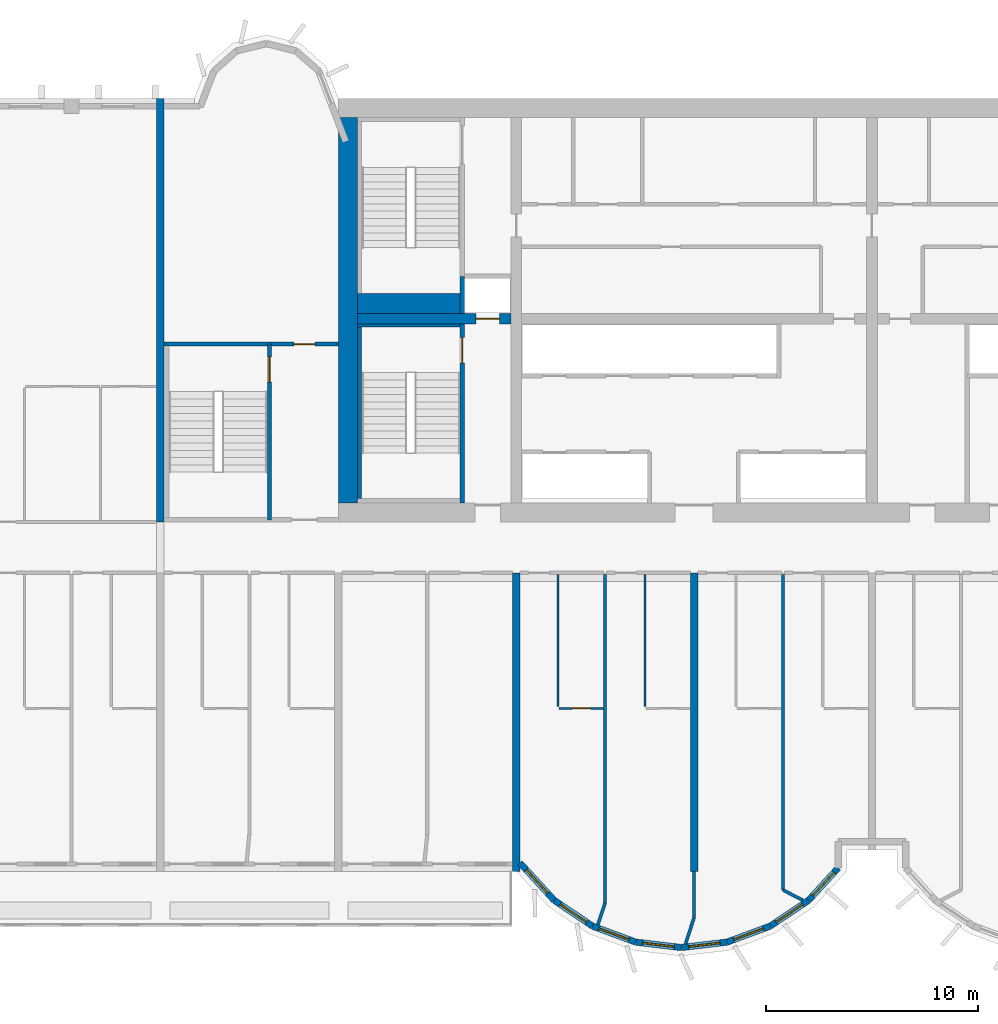
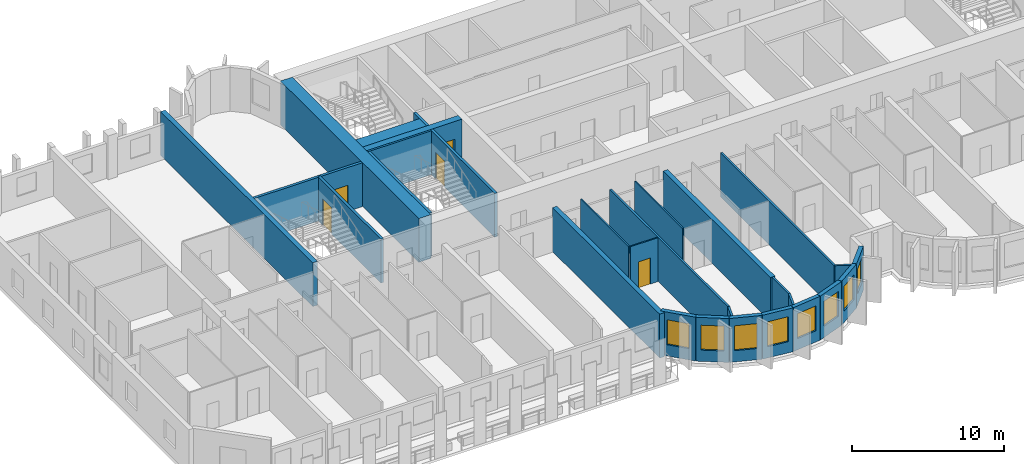
# One storey, part 4 of 14: 29 walls, 8 windows, 5 doors, 13 openings.
"""IFC4 building model written with IfcOpenShell, lengths in metres."""

import ifcopenshell
import ifcopenshell.guid

model = None  # the IFC model being written
_history = None  # IfcOwnerHistory: only IFC2X3 demands one
_inside = {}  # id of a spatial element -> (the spatial element, [elements in it])
_under = {}  # id of a project, library or spatial element -> (it, [spatial elements below it])
_declared = {}  # id of a project -> (the project, [libraries it declares])
_typed = {}  # id of a type object -> (the type object, [elements of that type])
_made_of = {}  # id of a material, layer set ... -> (it, [elements and type objects made of it])


def new_model(schema):
    """Start an empty IFC model of exactly this schema.

    Asked for "IFC4X3", IfcOpenShell would pick the latest addendum, in which some entities
    have other attributes; the version numbers below select the first issue.
    IFC2X3 requires an IfcOwnerHistory on every rooted entity: one is made here for all.
    """
    global model, _history
    if schema == "IFC4X3":
        model = ifcopenshell.file(schema_version=(4, 3, 0, 0))
    else:
        model = ifcopenshell.file(schema=schema)
    _inside.clear()
    _under.clear()
    _declared.clear()
    _typed.clear()
    _made_of.clear()
    _history = None
    if model.schema == "IFC2X3":
        org = make("IfcOrganization", Name="unknown")
        user = make(
            "IfcPersonAndOrganization",
            ThePerson=make("IfcPerson", FamilyName="unknown"),
            TheOrganization=org,
        )
        app = make(
            "IfcApplication",
            ApplicationDeveloper=org,
            Version="unknown",
            ApplicationFullName="unknown",
            ApplicationIdentifier="unknown",
        )
        _history = make(
            "IfcOwnerHistory",
            OwningUser=user,
            OwningApplication=app,
            ChangeAction="ADDED",
            CreationDate=0,
        )
    return model


def make(cls, **values):
    """One entity of the class cls with the attributes given. An attribute that is None is left unset."""
    return model.create_entity(
        cls, **{name: value for name, value in values.items() if value is not None}
    )


def rooted(cls, **values):
    """An entity with a GlobalId (a new one), such as an element, a storey or a relation."""
    return make(cls, GlobalId=ifcopenshell.guid.new(), OwnerHistory=_history, **values)


def si_unit(unit_type, name, prefix=None):
    """IfcSIUnit, for example si_unit("LENGTHUNIT", "METRE", prefix="MILLI")."""
    return make("IfcSIUnit", UnitType=unit_type, Prefix=prefix, Name=name)


def assignment(units):
    """IfcUnitAssignment: the units of a project."""
    return None if units is None else make("IfcUnitAssignment", Units=units)


def point(xyz):
    """IfcCartesianPoint."""
    return None if xyz is None else make("IfcCartesianPoint", Coordinates=xyz)


def direction(xyz):
    """IfcDirection."""
    return None if xyz is None else make("IfcDirection", DirectionRatios=xyz)


def frame(location, z_axis=None, x_axis=None):
    """IfcAxis2Placement3D, a coordinate frame: its origin and axes. An axis left out is left unset."""
    return make(
        "IfcAxis2Placement3D",
        Location=point(location),
        Axis=direction(z_axis),
        RefDirection=direction(x_axis),
    )


def frame_2d(location, x_axis=None):
    """IfcAxis2Placement2D, a coordinate frame in the plane: its origin and x axis."""
    return make(
        "IfcAxis2Placement2D", Location=point(location), RefDirection=direction(x_axis)
    )


def origin():
    """The frame at (0, 0, 0) with its axes left unset."""
    return frame((0.0, 0.0, 0.0))


def place(relative_to, where):
    """IfcLocalPlacement: puts the frame where relative to a parent placement (None: the world)."""
    return make(
        "IfcLocalPlacement", PlacementRelTo=relative_to, RelativePlacement=where
    )


def context(
    kind, dimensions, precision=None, world=None, true_north=None, identifier=None
):
    """IfcGeometricRepresentationContext, for example the 3D "Model" context."""
    return make(
        "IfcGeometricRepresentationContext",
        ContextIdentifier=identifier,
        ContextType=kind,
        CoordinateSpaceDimension=dimensions,
        Precision=precision,
        WorldCoordinateSystem=world,
        TrueNorth=true_north,
    )


def subcontext(parent, identifier, kind, view, scale=None):
    """IfcGeometricRepresentationSubContext, for example "Body" below "Model"."""
    return make(
        "IfcGeometricRepresentationSubContext",
        ContextIdentifier=identifier,
        ContextType=kind,
        ParentContext=parent,
        TargetScale=scale,
        TargetView=view,
    )


def project(units=None, contexts=None):
    """IfcProject with its units and contexts."""
    return rooted(
        "IfcProject",
        Name="project",
        RepresentationContexts=contexts,
        UnitsInContext=assignment(units),
    )


def spatial(cls, under=None, at=None, **own):
    """A site, building, storey or space (cls), placed at a placement, below another one or the project."""
    s = rooted(cls, ObjectPlacement=at, **own)
    if under is not None:
        _under.setdefault(under.id(), (under, []))[1].append(s)
    return s


def profile(cls, at=None, kind="AREA", **sizes):
    """A parametric profile (cls). Its sizes go by their IFC names, for example OverallWidth=200.0."""
    return make(cls, ProfileType=kind, Position=at, **sizes)


def rectangle(**sizes):
    """IfcRectangleProfileDef."""
    return profile("IfcRectangleProfileDef", **sizes)


def extrude(swept, where, along, depth):
    """IfcExtrudedAreaSolid: the profile swept, set in the frame where, extruded along a direction by depth."""
    return make(
        "IfcExtrudedAreaSolid",
        SweptArea=swept,
        Position=where,
        ExtrudedDirection=direction(along),
        Depth=depth,
    )


def shape(context_of_items, identifier, shape_type, items):
    """IfcShapeRepresentation: the items that make up one representation, for example the "Body"."""
    return make(
        "IfcShapeRepresentation",
        ContextOfItems=context_of_items,
        RepresentationIdentifier=identifier,
        RepresentationType=shape_type,
        Items=items,
    )


def source(mapping_origin, context_of_items, identifier, shape_type, items):
    """IfcRepresentationMap: a shape defined once, which mapped items show again and again."""
    return make(
        "IfcRepresentationMap",
        MappingOrigin=mapping_origin,
        MappedRepresentation=shape(context_of_items, identifier, shape_type, items),
    )


def transform(
    local_origin,
    x_axis=None,
    y_axis=None,
    z_axis=None,
    scale=None,
    scale2=None,
    scale3=None,
    uniform=True,
):
    """IfcCartesianTransformationOperator3D, or its non-uniform kind. x_axis, y_axis, z_axis: its Axis1, 2, 3."""
    if uniform:
        return make(
            "IfcCartesianTransformationOperator3D",
            Axis1=direction(x_axis),
            Axis2=direction(y_axis),
            LocalOrigin=point(local_origin),
            Scale=scale,
            Axis3=direction(z_axis),
        )
    return make(
        "IfcCartesianTransformationOperator3DnonUniform",
        Axis1=direction(x_axis),
        Axis2=direction(y_axis),
        LocalOrigin=point(local_origin),
        Scale=scale,
        Axis3=direction(z_axis),
        Scale2=scale2,
        Scale3=scale3,
    )


def mapped(mapping_source, mapping_target):
    """IfcMappedItem: shows the shape of a source again, moved by a transform."""
    return make(
        "IfcMappedItem", MappingSource=mapping_source, MappingTarget=mapping_target
    )


def material(Name=None, Category=None):
    """IfcMaterial."""
    return make("IfcMaterial", Name=Name, Category=Category)


def layer(
    of_material, thickness, ventilated=None, Name=None, Category=None, Priority=None
):
    """IfcMaterialLayer: one layer of a wall or slab, of a material (None: an air gap)."""
    return make(
        "IfcMaterialLayer",
        Material=of_material,
        LayerThickness=thickness,
        IsVentilated=ventilated,
        Name=Name,
        Category=Category,
        Priority=Priority,
    )


def layer_set(layers, Name=None):
    """IfcMaterialLayerSet."""
    return make("IfcMaterialLayerSet", MaterialLayers=layers, LayerSetName=Name)


def made_of(thing, what):
    """Note that an element or type object is made of a material, layer set ...; save() writes the relation."""
    if what is not None:
        _made_of.setdefault(what.id(), (what, []))[1].append(thing)
    return thing


def type_object(cls, material=None, **own):
    """A type object (cls), such as IfcWallType, which elements share."""
    return made_of(rooted(cls, **own), material)


def element(
    cls,
    number,
    at=None,
    inside=None,
    cuts=None,
    type_object=None,
    material=None,
    context=None,
    identifier="Body",
    shape_type=None,
    held_by="IfcProductDefinitionShape",
    body=None,
    shapes=None,
    **own,
):
    """One element of the class cls, such as IfcWall. Its Tag is "e" and its number.

    at: its placement. inside: the storey or other place that contains it. cuts: it is an
    opening in that element (IfcRelVoidsElement). A single representation is given by context,
    identifier, shape_type and body (its items); several are given by shapes. held_by: the class
    of the entity that holds the representations. save() writes the other relations.
    """
    e = rooted(cls, Tag="e%d" % number, ObjectPlacement=at, **own)
    if body is not None:
        shapes = [shape(context, identifier, shape_type, body)]
    if shapes is not None:
        e.Representation = make(held_by, Representations=shapes)
    if inside is not None:
        _inside.setdefault(inside.id(), (inside, []))[1].append(e)
    if cuts is not None:
        rooted(
            "IfcRelVoidsElement", RelatingBuildingElement=cuts, RelatedOpeningElement=e
        )
    if type_object is not None:
        _typed.setdefault(type_object.id(), (type_object, []))[1].append(e)
    return made_of(e, material)


def fill(opening, filler):
    """IfcRelFillsElement: the door or window that sits in an opening."""
    return rooted(
        "IfcRelFillsElement",
        RelatingOpeningElement=opening,
        RelatedBuildingElement=filler,
    )


def aggregate(whole, parts):
    """IfcRelAggregates: a whole, such as a stair, and the parts it consists of."""
    return rooted("IfcRelAggregates", RelatingObject=whole, RelatedObjects=parts)


def save(model, path):
    """Write the relations noted so far, then the file.

    IfcRelAggregates (storeys below a building ...), IfcRelContainedInSpatialStructure (elements
    in a storey), IfcRelDefinesByType, IfcRelAssociatesMaterial and IfcRelDeclares: one each for
    every whole, place, type object, material and project.
    """
    for whole, parts in _under.values():
        aggregate(whole, parts)
    for where, things in _inside.values():
        rooted(
            "IfcRelContainedInSpatialStructure",
            RelatedElements=things,
            RelatingStructure=where,
        )
    for kind, things in _typed.values():
        rooted("IfcRelDefinesByType", RelatedObjects=things, RelatingType=kind)
    for what, things in _made_of.values():
        rooted("IfcRelAssociatesMaterial", RelatedObjects=things, RelatingMaterial=what)
    for by, libraries in _declared.values():
        rooted("IfcRelDeclares", RelatingContext=by, RelatedDefinitions=libraries)
    model.write(path)


model = new_model("IFC4")

# Units and contexts
model_context = context("Model", 3, precision=1e-05, world=origin(), true_north=direction((0.0, 1.0)))
body_context = subcontext(model_context, "Body", "Model", "MODEL_VIEW")
ifc_project = project(units=[si_unit("LENGTHUNIT", "METRE"), si_unit("AREAUNIT", "SQUARE_METRE"), si_unit("VOLUMEUNIT", "CUBIC_METRE"), si_unit("PLANEANGLEUNIT", "RADIAN"), si_unit("MASSUNIT", "GRAM", prefix="KILO")], contexts=[model_context])

# Site, building, storey
site_placement = place(None, origin())
site = spatial("IfcSite", under=ifc_project, at=site_placement, CompositionType="ELEMENT")
building_placement = place(site_placement, origin())
building = spatial("IfcBuilding", under=site, at=building_placement, Name="Vanashikhar Sky Hotel", CompositionType="ELEMENT")
storey_placement = place(building_placement, frame((0.0, 0.0, 125.60009765625)))
storey = spatial("IfcBuildingStorey", under=building, at=storey_placement, Name="L30", CompositionType="ELEMENT", Elevation=125.60009765625)

# Wall
ifc_material_1 = material(Name="Concrete M70", Category="concrete")
ifc_layer_1 = layer(ifc_material_1, 0.89990234375)
ifc_layer_set_1 = layer_set([ifc_layer_1], Name="RC core shell wall 900 Concrete M70")
wall_type_1 = type_object("IfcWallType", Name="RC core shell wall 900 Concrete M70", PredefinedType="SHEAR", material=ifc_layer_set_1)
shared_shape_1 = source(origin(), body_context, "Body", "SweptSolid", [
    extrude(rectangle(XDim=18.2001953125, YDim=0.89990234375, at=frame_2d((9.10009765625, 0.0))), origin(), (0.0, 0.0, 1.0), 3.52001953125),
])
wall_1_placement = place(storey_placement, frame((25.64990234375, 22.89990234375, 0.0), z_axis=(0.0, 0.0, 1.0), x_axis=(0.0, 1.0, 0.0)))
element("IfcWall", 1, at=wall_1_placement, inside=storey, type_object=wall_type_1, Name="KW-L30-KW", PredefinedType="SHEAR", context=body_context, shape_type="MappedRepresentation", body=[
    mapped(shared_shape_1, transform((0.0, 0.0, 0.0), scale=1.0)),
])

# Wall, opening, door
ifc_layer_2 = layer(ifc_material_1, 0.5)
ifc_layer_set_2 = layer_set([ifc_layer_2], Name="RC core inner wall 500 Concrete M70")
wall_type_2 = type_object("IfcWallType", Name="RC core inner wall 500 Concrete M70", PredefinedType="SHEAR", material=ifc_layer_set_2)
shared_shape_2 = source(origin(), body_context, "Body", "SweptSolid", [
    extrude(rectangle(XDim=7.25, YDim=0.5, at=frame_2d((3.625, 0.0))), origin(), (0.0, 0.0, 1.0), 3.52001953125),
])
wall_2_placement = place(storey_placement, frame((26.10009765625, 31.60009765625, 0.0), z_axis=(0.0, 0.0, 1.0), x_axis=(1.0, 0.0, 0.0)))
wall_2 = element("IfcWall", 2, at=wall_2_placement, inside=storey, type_object=wall_type_2, Name="KW-L30-KY1", PredefinedType="SHEAR", context=body_context, shape_type="MappedRepresentation", body=[
    mapped(shared_shape_2, transform((0.0, 0.0, 0.0), scale=1.0)),
])
shared_shape_3 = source(origin(), body_context, "Body", "SweptSolid", [
    extrude(rectangle(XDim=1.10009765625, YDim=2.10009765625, at=frame_2d((0.550048828125, 1.050048828125))), frame((0.0, 0.260009765625, 0.0), z_axis=(0.0, -1.0, 0.0), x_axis=(1.0, 0.0, 0.0)), (0.0, 0.0, 1.0), 0.52001953125),
])
opening_1_placement = place(wall_2_placement, frame((5.60009765625, 0.0, 0.0)))
opening_1 = element("IfcOpeningElement", 3, at=opening_1_placement, cuts=wall_2, Name="Opening LD", PredefinedType="OPENING", context=body_context, shape_type="MappedRepresentation", body=[
    mapped(shared_shape_3, transform((0.0, 0.0, 0.0), scale=1.0)),
])
ifc_material_2 = material(Name="Stainless steel", Category="steel")
door_type_1 = type_object("IfcDoorType", Name="Lift landing door 1100", OperationType="NOTDEFINED", PredefinedType="DOOR", material=ifc_material_2)
shared_shape_4 = source(origin(), body_context, "Body", "SweptSolid", [
    extrude(rectangle(XDim=1.10009765625, YDim=2.10009765625, at=frame_2d((0.550048828125, 1.050048828125))), frame((0.0, 0.02490234375, 0.0), z_axis=(0.0, -1.0, 0.0), x_axis=(1.0, 0.0, 0.0)), (0.0, 0.0, 1.0), 0.050048828125),
])
door_1_placement = place(opening_1_placement, origin())
door_1 = element("IfcDoor", 4, at=door_1_placement, inside=storey, type_object=door_type_1, Name="Lift landing door 1100", OperationType="SLIDING_TO_LEFT", OverallHeight=2.10009765625, OverallWidth=1.10009765625, PredefinedType="DOOR", context=body_context, shape_type="MappedRepresentation", body=[
    mapped(shared_shape_4, transform((0.0, 0.0, 0.0), scale=1.0)),
])
fill(opening_1, door_1)

# Walls
ifc_layer_3 = layer(ifc_material_1, 0.35009765625)
ifc_layer_set_3 = layer_set([ifc_layer_3], Name="RC shear wall 350 Concrete M70")
wall_type_3 = type_object("IfcWallType", Name="RC shear wall 350 Concrete M70", PredefinedType="SHEAR", material=ifc_layer_set_3)
shared_shape_5 = source(origin(), body_context, "Body", "SweptSolid", [
    extrude(rectangle(XDim=14.10009765625, YDim=0.35009765625, at=frame_2d((7.050048828125, 0.0))), origin(), (0.0, 0.0, 1.0), 3.52001953125),
])
for number, where, z_axis, x_axis, name in (
    (5, (33.60009765625, 5.5, 0.0), (0.0, 0.0, 1.0), (0.0, 1.0, 0.0), "CW-L30-XW05-1"),
    (6, (42.0, 5.5, 0.0), (0.0, 0.0, 1.0), (0.0, 1.0, 0.0), "CW-L30-XW06-1"),
):
    element("IfcWall", number, at=place(storey_placement, frame(where, z_axis=z_axis, x_axis=x_axis)), inside=storey, type_object=wall_type_3, Name=name, PredefinedType="SHEAR", context=body_context, shape_type="MappedRepresentation", body=[
        mapped(shared_shape_5, transform((0.0, 0.0, 0.0), scale=1.0)),
    ])
shared_shape_6 = source(origin(), body_context, "Body", "SweptSolid", [
    extrude(rectangle(XDim=20.0, YDim=0.35009765625, at=frame_2d((10.0, 0.0))), origin(), (0.0, 0.0, 1.0), 3.52001953125),
])
wall_3_placement = place(storey_placement, frame((16.800048828125, 22.0, 0.0), z_axis=(0.0, 0.0, 1.0), x_axis=(0.0, 1.0, 0.0)))
element("IfcWall", 7, at=wall_3_placement, inside=storey, type_object=wall_type_3, Name="CW-L30-XW03-2", PredefinedType="SHEAR", context=body_context, shape_type="MappedRepresentation", body=[
    mapped(shared_shape_6, transform((0.0, 0.0, 0.0), scale=1.0)),
])

# Wall, opening, window
ifc_material_3 = material(Name="Concrete M50", Category="concrete")
ifc_layer_4 = layer(ifc_material_3, 0.300048828125)
ifc_layer_set_4 = layer_set([ifc_layer_4], Name="Lobe wall 300")
wall_type_4 = type_object("IfcWallType", Name="Lobe wall 300", PredefinedType="SOLIDWALL", material=ifc_layer_set_4)
shared_shape_7 = source(origin(), body_context, "Body", "SweptSolid", [
    extrude(rectangle(XDim=2.398193359375, YDim=0.300048828125, at=frame_2d((1.19921875, 0.0))), origin(), (0.0, 0.0, 1.0), 3.52001953125),
])
wall_4_placement = place(storey_placement, frame((33.776123046875, 5.89990234375, 0.0), z_axis=(0.0, 0.0, 1.0), x_axis=(0.675374189419, -0.737475222815, 0.0)))
wall_4 = element("IfcWall", 8, at=wall_4_placement, inside=storey, type_object=wall_type_4, Name="Lobe wall", PredefinedType="SOLIDWALL", context=body_context, shape_type="MappedRepresentation", body=[
    mapped(shared_shape_7, transform((0.0, 0.0, 0.0), scale=1.0)),
])
shared_shape_8 = source(origin(), body_context, "Body", "SweptSolid", [
    extrude(rectangle(XDim=1.5, YDim=2.0, at=frame_2d((0.75, 1.0))), frame((0.0, 0.16015625, 0.0), z_axis=(0.0, -1.0, 0.0), x_axis=(1.0, 0.0, 0.0)), (0.0, 0.0, 1.0), 0.320068359375),
])
opening_2_placement = place(wall_4_placement, frame((0.44921875, 0.0, 0.89990234375)))
opening_2 = element("IfcOpeningElement", 9, at=opening_2_placement, cuts=wall_4, Name="Opening WN-2", PredefinedType="OPENING", context=body_context, shape_type="MappedRepresentation", body=[
    mapped(shared_shape_8, transform((0.0, 0.0, 0.0), scale=1.0)),
])
ifc_material_4 = material(Name="Glass", Category="glass")
window_type = type_object("IfcWindowType", Name="Lobe window 1500 x 2000", PartitioningType="SINGLE_PANEL", PredefinedType="WINDOW", material=ifc_material_4)
shared_shape_9 = source(origin(), body_context, "Body", "SweptSolid", [
    extrude(rectangle(XDim=1.5, YDim=2.0, at=frame_2d((0.75, 1.0))), frame((0.0, 0.030029296875, 0.0), z_axis=(0.0, -1.0, 0.0), x_axis=(1.0, 0.0, 0.0)), (0.0, 0.0, 1.0), 0.06005859375),
])
window_1_placement = place(opening_2_placement, origin())
window_1 = element("IfcWindow", 10, at=window_1_placement, inside=storey, type_object=window_type, Name="Window WN-2", OverallHeight=2.0, OverallWidth=1.5, PartitioningType="SINGLE_PANEL", PredefinedType="WINDOW", context=body_context, shape_type="MappedRepresentation", body=[
    mapped(shared_shape_9, transform((0.0, 0.0, 0.0), scale=1.0)),
])
fill(opening_2, window_1)

shared_shape_10 = source(origin(), body_context, "Body", "SweptSolid", [
    extrude(rectangle(XDim=2.17578125, YDim=0.300048828125, at=frame_2d((1.087890625, 0.0))), origin(), (0.0, 0.0, 1.0), 3.52001953125),
])
wall_5_placement = place(storey_placement, frame((35.395751953125, 4.13134765625, 0.0), z_axis=(0.0, 0.0, 1.0), x_axis=(0.829590746428, -0.558371913192, 0.0)))
wall_5 = element("IfcWall", 11, at=wall_5_placement, inside=storey, type_object=wall_type_4, Name="Lobe wall", PredefinedType="SOLIDWALL", context=body_context, shape_type="MappedRepresentation", body=[
    mapped(shared_shape_10, transform((0.0, 0.0, 0.0), scale=1.0)),
])
opening_3_placement = place(wall_5_placement, frame((0.337890625, 0.0, 0.89990234375)))
opening_3 = element("IfcOpeningElement", 12, at=opening_3_placement, cuts=wall_5, Name="Opening WN-2", PredefinedType="OPENING", context=body_context, shape_type="MappedRepresentation", body=[
    mapped(shared_shape_8, transform((0.0, 0.0, 0.0), scale=1.0)),
])
window_2_placement = place(opening_3_placement, origin())
window_2 = element("IfcWindow", 13, at=window_2_placement, inside=storey, type_object=window_type, Name="Window WN-2", OverallHeight=2.0, OverallWidth=1.5, PartitioningType="SINGLE_PANEL", PredefinedType="WINDOW", context=body_context, shape_type="MappedRepresentation", body=[
    mapped(shared_shape_9, transform((0.0, 0.0, 0.0), scale=1.0)),
])
fill(opening_3, window_2)

wall_6_placement = place(storey_placement, frame((37.20068359375, 2.91650390625, 0.0), z_axis=(0.0, 0.0, 1.0), x_axis=(0.93754555999, -0.347862505801, 0.0)))
wall_6 = element("IfcWall", 14, at=wall_6_placement, inside=storey, type_object=wall_type_4, Name="Lobe wall", PredefinedType="SOLIDWALL", context=body_context, shape_type="MappedRepresentation", body=[
    mapped(shared_shape_10, transform((0.0, 0.0, 0.0), scale=1.0)),
])
opening_4_placement = place(wall_6_placement, frame((0.337890625, 0.0, 0.89990234375)))
opening_4 = element("IfcOpeningElement", 15, at=opening_4_placement, cuts=wall_6, Name="Opening WN-2", PredefinedType="OPENING", context=body_context, shape_type="MappedRepresentation", body=[
    mapped(shared_shape_8, transform((0.0, 0.0, 0.0), scale=1.0)),
])
window_3_placement = place(opening_4_placement, origin())
window_3 = element("IfcWindow", 16, at=window_3_placement, inside=storey, type_object=window_type, Name="Window WN-2", OverallHeight=2.0, OverallWidth=1.5, PartitioningType="SINGLE_PANEL", PredefinedType="WINDOW", context=body_context, shape_type="MappedRepresentation", body=[
    mapped(shared_shape_9, transform((0.0, 0.0, 0.0), scale=1.0)),
])
fill(opening_4, window_3)

wall_7_placement = place(storey_placement, frame((45.59912109375, 2.91650390625, 0.0), z_axis=(0.0, 0.0, 1.0), x_axis=(0.829625727223, 0.558319937607, 0.0)))
wall_7 = element("IfcWall", 17, at=wall_7_placement, inside=storey, type_object=wall_type_4, Name="Lobe wall", PredefinedType="SOLIDWALL", context=body_context, shape_type="MappedRepresentation", body=[
    mapped(shared_shape_10, transform((0.0, 0.0, 0.0), scale=1.0)),
])
opening_5_placement = place(wall_7_placement, frame((0.337890625, 0.0, 0.89990234375)))
opening_5 = element("IfcOpeningElement", 18, at=opening_5_placement, cuts=wall_7, Name="Opening WN-2", PredefinedType="OPENING", context=body_context, shape_type="MappedRepresentation", body=[
    mapped(shared_shape_8, transform((0.0, 0.0, 0.0), scale=1.0)),
])
window_4_placement = place(opening_5_placement, origin())
window_4 = element("IfcWindow", 19, at=window_4_placement, inside=storey, type_object=window_type, Name="Window WN-2", OverallHeight=2.0, OverallWidth=1.5, PartitioningType="SINGLE_PANEL", PredefinedType="WINDOW", context=body_context, shape_type="MappedRepresentation", body=[
    mapped(shared_shape_9, transform((0.0, 0.0, 0.0), scale=1.0)),
])
fill(opening_5, window_4)

shared_shape_11 = source(origin(), body_context, "Body", "SweptSolid", [
    extrude(rectangle(XDim=2.174560546875, YDim=0.300048828125, at=frame_2d((1.08740234375, 0.0))), origin(), (0.0, 0.0, 1.0), 3.52001953125),
])
wall_8_placement = place(storey_placement, frame((39.240478515625, 2.15966796875, 0.0), z_axis=(0.0, 0.0, 1.0), x_axis=(0.993001132889, -0.118104826659, 0.0)))
wall_8 = element("IfcWall", 20, at=wall_8_placement, inside=storey, type_object=wall_type_4, Name="Lobe wall", PredefinedType="SOLIDWALL", context=body_context, shape_type="MappedRepresentation", body=[
    mapped(shared_shape_11, transform((0.0, 0.0, 0.0), scale=1.0)),
])
opening_6_placement = place(wall_8_placement, frame((0.33740234375, 0.0, 0.89990234375)))
opening_6 = element("IfcOpeningElement", 21, at=opening_6_placement, cuts=wall_8, Name="Opening WN-2", PredefinedType="OPENING", context=body_context, shape_type="MappedRepresentation", body=[
    mapped(shared_shape_8, transform((0.0, 0.0, 0.0), scale=1.0)),
])
window_5_placement = place(opening_6_placement, origin())
window_5 = element("IfcWindow", 22, at=window_5_placement, inside=storey, type_object=window_type, Name="Window WN-2", OverallHeight=2.0, OverallWidth=1.5, PartitioningType="SINGLE_PANEL", PredefinedType="WINDOW", context=body_context, shape_type="MappedRepresentation", body=[
    mapped(shared_shape_9, transform((0.0, 0.0, 0.0), scale=1.0)),
])
fill(opening_6, window_5)

shared_shape_12 = source(origin(), body_context, "Body", "SweptSolid", [
    extrude(rectangle(XDim=2.1748046875, YDim=0.300048828125, at=frame_2d((1.08740234375, 0.0))), origin(), (0.0, 0.0, 1.0), 3.52001953125),
])
wall_9_placement = place(storey_placement, frame((41.39990234375, 1.90283203125, 0.0), z_axis=(0.0, 0.0, 1.0), x_axis=(0.993002698611, 0.118091661648, 0.0)))
wall_9 = element("IfcWall", 23, at=wall_9_placement, inside=storey, type_object=wall_type_4, Name="Lobe wall", PredefinedType="SOLIDWALL", context=body_context, shape_type="MappedRepresentation", body=[
    mapped(shared_shape_12, transform((0.0, 0.0, 0.0), scale=1.0)),
])
opening_7_placement = place(wall_9_placement, frame((0.33740234375, 0.0, 0.89990234375)))
opening_7 = element("IfcOpeningElement", 24, at=opening_7_placement, cuts=wall_9, Name="Opening WN-2", PredefinedType="OPENING", context=body_context, shape_type="MappedRepresentation", body=[
    mapped(shared_shape_8, transform((0.0, 0.0, 0.0), scale=1.0)),
])
window_6_placement = place(opening_7_placement, origin())
window_6 = element("IfcWindow", 25, at=window_6_placement, inside=storey, type_object=window_type, Name="Window WN-2", OverallHeight=2.0, OverallWidth=1.5, PartitioningType="SINGLE_PANEL", PredefinedType="WINDOW", context=body_context, shape_type="MappedRepresentation", body=[
    mapped(shared_shape_9, transform((0.0, 0.0, 0.0), scale=1.0)),
])
fill(opening_7, window_6)

shared_shape_13 = source(origin(), body_context, "Body", "SweptSolid", [
    extrude(rectangle(XDim=2.175537109375, YDim=0.300048828125, at=frame_2d((1.087890625, 0.0))), origin(), (0.0, 0.0, 1.0), 3.52001953125),
])
wall_10_placement = place(storey_placement, frame((43.5595703125, 2.15966796875, 0.0), z_axis=(0.0, 0.0, 1.0), x_axis=(0.937531979054, 0.347899106424, 0.0)))
wall_10 = element("IfcWall", 26, at=wall_10_placement, inside=storey, type_object=wall_type_4, Name="Lobe wall", PredefinedType="SOLIDWALL", context=body_context, shape_type="MappedRepresentation", body=[
    mapped(shared_shape_13, transform((0.0, 0.0, 0.0), scale=1.0)),
])
opening_8_placement = place(wall_10_placement, frame((0.337890625, 0.0, 0.89990234375)))
opening_8 = element("IfcOpeningElement", 27, at=opening_8_placement, cuts=wall_10, Name="Opening WN-2", PredefinedType="OPENING", context=body_context, shape_type="MappedRepresentation", body=[
    mapped(shared_shape_8, transform((0.0, 0.0, 0.0), scale=1.0)),
])
window_7_placement = place(opening_8_placement, origin())
window_7 = element("IfcWindow", 28, at=window_7_placement, inside=storey, type_object=window_type, Name="Window WN-2", OverallHeight=2.0, OverallWidth=1.5, PartitioningType="SINGLE_PANEL", PredefinedType="WINDOW", context=body_context, shape_type="MappedRepresentation", body=[
    mapped(shared_shape_9, transform((0.0, 0.0, 0.0), scale=1.0)),
])
fill(opening_8, window_7)

shared_shape_14 = source(origin(), body_context, "Body", "SweptSolid", [
    extrude(rectangle(XDim=2.066650390625, YDim=0.300048828125, at=frame_2d((1.033203125, 0.0))), origin(), (0.0, 0.0, 1.0), 3.52001953125),
])
wall_11_placement = place(storey_placement, frame((47.404296875, 4.13134765625, 0.0), z_axis=(0.0, 0.0, 1.0), x_axis=(0.675355439877, 0.737492393065, 0.0)))
wall_11 = element("IfcWall", 29, at=wall_11_placement, inside=storey, type_object=wall_type_4, Name="Lobe wall", PredefinedType="SOLIDWALL", context=body_context, shape_type="MappedRepresentation", body=[
    mapped(shared_shape_14, transform((0.0, 0.0, 0.0), scale=1.0)),
])
opening_9_placement = place(wall_11_placement, frame((0.283447265625, 0.0, 0.89990234375)))
opening_9 = element("IfcOpeningElement", 30, at=opening_9_placement, cuts=wall_11, Name="Opening WN-2", PredefinedType="OPENING", context=body_context, shape_type="MappedRepresentation", body=[
    mapped(shared_shape_8, transform((0.0, 0.0, 0.0), scale=1.0)),
])
window_8_placement = place(opening_9_placement, origin())
window_8 = element("IfcWindow", 31, at=window_8_placement, inside=storey, type_object=window_type, Name="Window WN-2", OverallHeight=2.0, OverallWidth=1.5, PartitioningType="SINGLE_PANEL", PredefinedType="WINDOW", context=body_context, shape_type="MappedRepresentation", body=[
    mapped(shared_shape_9, transform((0.0, 0.0, 0.0), scale=1.0)),
])
fill(opening_9, window_8)

# Wall, opening, door
ifc_layer_5 = layer(ifc_material_3, 0.199951171875)
ifc_layer_set_5 = layer_set([ifc_layer_5], Name="Stair wall 200")
wall_type_5 = type_object("IfcWallType", Name="Stair wall 200", PredefinedType="SOLIDWALL", material=ifc_layer_set_5)
shared_shape_15 = source(origin(), body_context, "Body", "SweptSolid", [
    extrude(rectangle(XDim=8.2998046875, YDim=0.199951171875, at=frame_2d((4.14990234375, 0.0))), origin(), (0.0, 0.0, 1.0), 3.52001953125),
])
wall_12_placement = place(storey_placement, frame((21.949951171875, 22.10009765625, 0.0), z_axis=(0.0, 0.0, 1.0), x_axis=(0.0, 1.0, 0.0)))
wall_12 = element("IfcWall", 32, at=wall_12_placement, inside=storey, type_object=wall_type_5, Name="Stair wall 200", PredefinedType="SOLIDWALL", context=body_context, shape_type="MappedRepresentation", body=[
    mapped(shared_shape_15, transform((0.0, 0.0, 0.0), scale=1.0)),
])
shared_shape_16 = source(origin(), body_context, "Body", "SweptSolid", [
    extrude(rectangle(XDim=1.199951171875, YDim=2.10009765625, at=frame_2d((0.60009765625, 1.050048828125))), frame((0.0, 0.10986328125, 0.0), z_axis=(0.0, -1.0, 0.0), x_axis=(1.0, 0.0, 0.0)), (0.0, 0.0, 1.0), 0.219970703125),
])
opening_10_placement = place(wall_12_placement, frame((6.5, 0.0, 0.0)))
opening_10 = element("IfcOpeningElement", 33, at=opening_10_placement, cuts=wall_12, Name="Opening DC-1", PredefinedType="OPENING", context=body_context, shape_type="MappedRepresentation", body=[
    mapped(shared_shape_16, transform((0.0, 0.0, 0.0), scale=1.0)),
])
ifc_material_5 = material(Name="Steel", Category="steel")
door_type_2 = type_object("IfcDoorType", Name="Stair door 1200 FD120", OperationType="NOTDEFINED", PredefinedType="DOOR", material=ifc_material_5)
shared_shape_17 = source(origin(), body_context, "Body", "SweptSolid", [
    extrude(rectangle(XDim=1.199951171875, YDim=2.10009765625, at=frame_2d((0.60009765625, 1.050048828125))), frame((0.0, 0.02490234375, 0.0), z_axis=(0.0, -1.0, 0.0), x_axis=(1.0, 0.0, 0.0)), (0.0, 0.0, 1.0), 0.050048828125),
])
door_2_placement = place(opening_10_placement, origin())
door_2 = element("IfcDoor", 34, at=door_2_placement, inside=storey, type_object=door_type_2, Name="Stair door 1200 FD120", OperationType="SINGLE_SWING_RIGHT", OverallHeight=2.10009765625, OverallWidth=1.199951171875, PredefinedType="DOOR", context=body_context, shape_type="MappedRepresentation", body=[
    mapped(shared_shape_17, transform((0.0, 0.0, 0.0), scale=1.0)),
])
fill(opening_10, door_2)

shared_shape_18 = source(origin(), body_context, "Body", "SweptSolid", [
    extrude(rectangle(XDim=8.4501953125, YDim=0.199951171875, at=frame_2d((4.22509765625, 0.0))), origin(), (0.0, 0.0, 1.0), 3.52001953125),
])
wall_13_placement = place(storey_placement, frame((31.050048828125, 22.89990234375, 0.0), z_axis=(0.0, 0.0, 1.0), x_axis=(0.0, 1.0, 0.0)))
wall_13 = element("IfcWall", 35, at=wall_13_placement, inside=storey, type_object=wall_type_5, Name="Stair wall 200", PredefinedType="SOLIDWALL", context=body_context, shape_type="MappedRepresentation", body=[
    mapped(shared_shape_18, transform((0.0, 0.0, 0.0), scale=1.0)),
])
opening_11_placement = place(wall_13_placement, frame((6.60009765625, 0.0, 0.0)))
opening_11 = element("IfcOpeningElement", 36, at=opening_11_placement, cuts=wall_13, Name="Opening DC-1", PredefinedType="OPENING", context=body_context, shape_type="MappedRepresentation", body=[
    mapped(shared_shape_16, transform((0.0, 0.0, 0.0), scale=1.0)),
])
door_3_placement = place(opening_11_placement, origin())
door_3 = element("IfcDoor", 37, at=door_3_placement, inside=storey, type_object=door_type_2, Name="Stair door 1200 FD120", OperationType="SINGLE_SWING_RIGHT", OverallHeight=2.10009765625, OverallWidth=1.199951171875, PredefinedType="DOOR", context=body_context, shape_type="MappedRepresentation", body=[
    mapped(shared_shape_17, transform((0.0, 0.0, 0.0), scale=1.0)),
])
fill(opening_11, door_3)

# Wall
ifc_material_6 = material(Name="Concrete M40", Category="concrete")
ifc_layer_6 = layer(ifc_material_6, 0.199951171875)
ifc_layer_set_6 = layer_set([ifc_layer_6], Name="Shaft wall 200")
wall_type_6 = type_object("IfcWallType", Name="Shaft wall 200", PredefinedType="SOLIDWALL", material=ifc_layer_set_6)
shared_shape_19 = source(origin(), body_context, "Body", "SweptSolid", [
    extrude(rectangle(XDim=1.75, YDim=0.199951171875, at=frame_2d((0.875, 0.0))), origin(), (0.0, 0.0, 1.0), 3.52001953125),
])
wall_14_placement = place(storey_placement, frame((31.050048828125, 31.85009765625, 0.0), z_axis=(0.0, 0.0, 1.0), x_axis=(0.0, 1.0, 0.0)))
element("IfcWall", 38, at=wall_14_placement, inside=storey, type_object=wall_type_6, Name="Shaft wall 200", PredefinedType="SOLIDWALL", context=body_context, shape_type="MappedRepresentation", body=[
    mapped(shared_shape_19, transform((0.0, 0.0, 0.0), scale=1.0)),
])

# Wall, opening, door
shared_shape_20 = source(origin(), body_context, "Body", "SweptSolid", [
    extrude(rectangle(XDim=8.224853515625, YDim=0.199951171875, at=frame_2d((4.1123046875, 0.0))), origin(), (0.0, 0.0, 1.0), 3.52001953125),
])
wall_15_placement = place(storey_placement, frame((16.97509765625, 30.39990234375, 0.0), z_axis=(0.0, 0.0, 1.0), x_axis=(1.0, 0.0, 0.0)))
wall_15 = element("IfcWall", 39, at=wall_15_placement, inside=storey, type_object=wall_type_5, Name="Stair wall 200", PredefinedType="SOLIDWALL", context=body_context, shape_type="MappedRepresentation", body=[
    mapped(shared_shape_20, transform((0.0, 0.0, 0.0), scale=1.0)),
])
shared_shape_21 = source(origin(), body_context, "Body", "SweptSolid", [
    extrude(rectangle(XDim=1.0, YDim=2.10009765625, at=frame_2d((0.5, 1.050048828125))), frame((0.0, 0.10986328125, 0.0), z_axis=(0.0, -1.0, 0.0), x_axis=(1.0, 0.0, 0.0)), (0.0, 0.0, 1.0), 0.219970703125),
])
opening_12_placement = place(wall_15_placement, frame((6.125, 0.0, 0.0)))
opening_12 = element("IfcOpeningElement", 40, at=opening_12_placement, cuts=wall_15, Name="Opening DC-6", PredefinedType="OPENING", context=body_context, shape_type="MappedRepresentation", body=[
    mapped(shared_shape_21, transform((0.0, 0.0, 0.0), scale=1.0)),
])
door_type_3 = type_object("IfcDoorType", Name="Pocket door 1000 FD60", OperationType="NOTDEFINED", PredefinedType="DOOR", material=ifc_material_5)
shared_shape_22 = source(origin(), body_context, "Body", "SweptSolid", [
    extrude(rectangle(XDim=1.0, YDim=2.10009765625, at=frame_2d((0.5, 1.050048828125))), frame((0.0, 0.02490234375, 0.0), z_axis=(0.0, -1.0, 0.0), x_axis=(1.0, 0.0, 0.0)), (0.0, 0.0, 1.0), 0.050048828125),
])
door_4_placement = place(opening_12_placement, origin())
door_4 = element("IfcDoor", 41, at=door_4_placement, inside=storey, type_object=door_type_3, Name="Pocket door 1000 FD60", OperationType="SINGLE_SWING_RIGHT", OverallHeight=2.10009765625, OverallWidth=1.0, PredefinedType="DOOR", context=body_context, shape_type="MappedRepresentation", body=[
    mapped(shared_shape_22, transform((0.0, 0.0, 0.0), scale=1.0)),
])
fill(opening_12, door_4)

# Walls
ifc_layer_7 = layer(ifc_material_3, 0.14990234375)
ifc_layer_set_7 = layer_set([ifc_layer_7], Name="Stair infill wall 150")
wall_type_7 = type_object("IfcWallType", Name="Stair infill wall 150", PredefinedType="SOLIDWALL", material=ifc_layer_set_7)
shared_shape_23 = source(origin(), body_context, "Body", "SweptSolid", [
    extrude(rectangle(XDim=4.849853515625, YDim=0.14990234375, at=frame_2d((2.4248046875, 0.0))), origin(), (0.0, 0.0, 1.0), 3.52001953125),
])
wall_16_placement = place(storey_placement, frame((26.10009765625, 31.27490234375, 0.0), z_axis=(0.0, 0.0, 1.0), x_axis=(1.0, 0.0, 0.0)))
element("IfcWall", 42, at=wall_16_placement, inside=storey, type_object=wall_type_7, Name="Stair infill wall 150", PredefinedType="SOLIDWALL", context=body_context, shape_type="MappedRepresentation", body=[
    mapped(shared_shape_23, transform((0.0, 0.0, 0.0), scale=1.0)),
])
ifc_layer_8 = layer(ifc_material_3, 0.199951171875)
ifc_layer_set_8 = layer_set([ifc_layer_8], Name="Stair infill wall 200")
wall_type_8 = type_object("IfcWallType", Name="Stair infill wall 200", PredefinedType="SOLIDWALL", material=ifc_layer_set_8)
shared_shape_24 = source(origin(), body_context, "Body", "SweptSolid", [
    extrude(rectangle(XDim=8.099853515625, YDim=0.199951171875, at=frame_2d((4.0498046875, 0.0))), origin(), (0.0, 0.0, 1.0), 3.52001953125),
])
wall_17_placement = place(storey_placement, frame((26.199951171875, 23.10009765625, 0.0), z_axis=(0.0, 0.0, 1.0), x_axis=(0.0, 1.0, 0.0)))
element("IfcWall", 43, at=wall_17_placement, inside=storey, type_object=wall_type_8, Name="Stair infill wall 200", PredefinedType="SOLIDWALL", context=body_context, shape_type="MappedRepresentation", body=[
    mapped(shared_shape_24, transform((0.0, 0.0, 0.0), scale=1.0)),
])
ifc_layer_9 = layer(ifc_material_3, 0.949951171875)
ifc_layer_set_9 = layer_set([ifc_layer_9], Name="Stair infill wall 950")
wall_type_9 = type_object("IfcWallType", Name="Stair infill wall 950", PredefinedType="SOLIDWALL", material=ifc_layer_set_9)
shared_shape_25 = source(origin(), body_context, "Body", "SweptSolid", [
    extrude(rectangle(XDim=4.849853515625, YDim=0.949951171875, at=frame_2d((2.4248046875, 0.0))), origin(), (0.0, 0.0, 1.0), 3.52001953125),
])
wall_18_placement = place(storey_placement, frame((26.10009765625, 32.324951171875, 0.0), z_axis=(0.0, 0.0, 1.0), x_axis=(1.0, 0.0, 0.0)))
element("IfcWall", 44, at=wall_18_placement, inside=storey, type_object=wall_type_9, Name="Stair infill wall 950", PredefinedType="SOLIDWALL", context=body_context, shape_type="MappedRepresentation", body=[
    mapped(shared_shape_25, transform((0.0, 0.0, 0.0), scale=1.0)),
])
ifc_material_7 = material(Name="Gypsum plasterboard partition")
ifc_layer_10 = layer(ifc_material_7, 0.14990234375)
ifc_layer_set_10 = layer_set([ifc_layer_10], Name="Corridor and demising partition 150")
wall_type_10 = type_object("IfcWallType", Name="Corridor and demising partition 150", PredefinedType="PARTITIONING", material=ifc_layer_set_10)
shared_shape_26 = source(origin(), body_context, "Body", "SweptSolid", [
    extrude(rectangle(XDim=2.177978515625, YDim=0.14990234375, at=frame_2d((1.0888671875, 0.0))), origin(), (0.0, 0.0, 1.0), 3.52001953125),
])
wall_19_placement = place(storey_placement, frame((42.0, 3.322021484375, 0.0), z_axis=(0.0, 0.0, 1.0), x_axis=(0.0, 1.0, 0.0)))
element("IfcWall", 45, at=wall_19_placement, inside=storey, type_object=wall_type_10, Name="W-L30-PW069", PredefinedType="PARTITIONING", context=body_context, shape_type="MappedRepresentation", body=[
    mapped(shared_shape_26, transform((0.0, 0.0, 0.0), scale=1.0)),
])
shared_shape_27 = source(origin(), body_context, "Body", "SweptSolid", [
    extrude(rectangle(XDim=1.100830078125, YDim=0.14990234375, at=frame_2d((0.55029296875, 0.0))), origin(), (0.0, 0.0, 1.0), 3.52001953125),
])
wall_20_placement = place(storey_placement, frame((37.45703125, 2.98095703125, 0.0), z_axis=(0.0, 0.0, 1.0), x_axis=(0.311567081539, 0.950224159712, 0.0)))
element("IfcWall", 46, at=wall_20_placement, inside=storey, type_object=wall_type_10, Name="W-L30-PW029B0", PredefinedType="PARTITIONING", context=body_context, shape_type="MappedRepresentation", body=[
    mapped(shared_shape_27, transform((0.0, 0.0, 0.0), scale=1.0)),
])
shared_shape_28 = source(origin(), body_context, "Body", "SweptSolid", [
    extrude(rectangle(XDim=1.0576171875, YDim=0.14990234375, at=frame_2d((0.52880859375, 0.0))), origin(), (0.0, 0.0, 1.0), 3.52001953125),
])
wall_21_placement = place(storey_placement, frame((47.139892578125, 4.134033203125, 0.0), z_axis=(0.0, 0.0, 1.0), x_axis=(-0.888723819054, 0.458442988218, 0.0)))
element("IfcWall", 47, at=wall_21_placement, inside=storey, type_object=wall_type_10, Name="W-L30-PW036B0", PredefinedType="PARTITIONING", context=body_context, shape_type="MappedRepresentation", body=[
    mapped(shared_shape_28, transform((0.0, 0.0, 0.0), scale=1.0)),
])
shared_shape_29 = source(origin(), body_context, "Body", "SweptSolid", [
    extrude(rectangle(XDim=1.308349609375, YDim=0.14990234375, at=frame_2d((0.654296875, 0.0))), origin(), (0.0, 0.0, 1.0), 3.52001953125),
])
wall_22_placement = place(storey_placement, frame((41.597900390625, 2.076904296875, 0.0), z_axis=(0.0, 0.0, 1.0), x_axis=(0.307313512187, 0.951608325535, 0.0)))
element("IfcWall", 48, at=wall_22_placement, inside=storey, type_object=wall_type_10, Name="W-L30-PW069B0", PredefinedType="PARTITIONING", context=body_context, shape_type="MappedRepresentation", body=[
    mapped(shared_shape_29, transform((0.0, 0.0, 0.0), scale=1.0)),
])
ifc_layer_11 = layer(ifc_material_7, 0.10009765625)
ifc_layer_set_11 = layer_set([ifc_layer_11], Name="Wet room partition 100")
wall_type_11 = type_object("IfcWallType", Name="Wet room partition 100", PredefinedType="PARTITIONING", material=ifc_layer_set_11)
shared_shape_30 = source(origin(), body_context, "Body", "SweptSolid", [
    extrude(rectangle(XDim=6.25, YDim=0.10009765625, at=frame_2d((3.125, 0.0))), origin(), (0.0, 0.0, 1.0), 3.52001953125),
])
for number, where, z_axis, x_axis, name in (
    (49, (35.574951171875, 13.27490234375, 0.0), (0.0, 0.0, 1.0), (0.0, 1.0, 0.0), "W-L30-PW023"),
    (50, (39.675048828125, 13.27490234375, 0.0), (0.0, 0.0, 1.0), (0.0, 1.0, 0.0), "W-L30-PW026"),
):
    element("IfcWall", number, at=place(storey_placement, frame(where, z_axis=z_axis, x_axis=x_axis)), inside=storey, type_object=wall_type_11, Name=name, PredefinedType="PARTITIONING", context=body_context, shape_type="MappedRepresentation", body=[
        mapped(shared_shape_30, transform((0.0, 0.0, 0.0), scale=1.0)),
    ])

# Wall, opening, door
shared_shape_31 = source(origin(), body_context, "Body", "SweptSolid", [
    extrude(rectangle(XDim=2.10009765625, YDim=0.10009765625, at=frame_2d((1.050048828125, 0.0))), origin(), (0.0, 0.0, 1.0), 3.52001953125),
])
wall_23_placement = place(storey_placement, frame((35.625, 13.199951171875, 0.0), z_axis=(0.0, 0.0, 1.0), x_axis=(1.0, 0.0, 0.0)))
wall_23 = element("IfcWall", 51, at=wall_23_placement, inside=storey, type_object=wall_type_11, Name="W-L30-PW024", PredefinedType="PARTITIONING", context=body_context, shape_type="MappedRepresentation", body=[
    mapped(shared_shape_31, transform((0.0, 0.0, 0.0), scale=1.0)),
])
shared_shape_32 = source(origin(), body_context, "Body", "SweptSolid", [
    extrude(rectangle(XDim=0.89990234375, YDim=2.10009765625, at=frame_2d((0.449951171875, 1.050048828125))), frame((0.0, 0.06005859375, 0.0), z_axis=(0.0, -1.0, 0.0), x_axis=(1.0, 0.0, 0.0)), (0.0, 0.0, 1.0), 0.1201171875),
])
opening_13_placement = place(wall_23_placement, frame((0.60009765625, 0.0, 0.0)))
opening_13 = element("IfcOpeningElement", 52, at=opening_13_placement, cuts=wall_23, Name="Opening D-02", PredefinedType="OPENING", context=body_context, shape_type="MappedRepresentation", body=[
    mapped(shared_shape_32, transform((0.0, 0.0, 0.0), scale=1.0)),
])
ifc_material_8 = material(Name="Timber door", Category="wood")
door_type_4 = type_object("IfcDoorType", Name="Internal door 900", OperationType="NOTDEFINED", PredefinedType="DOOR", material=ifc_material_8)
shared_shape_33 = source(origin(), body_context, "Body", "SweptSolid", [
    extrude(rectangle(XDim=0.89990234375, YDim=2.10009765625, at=frame_2d((0.449951171875, 1.050048828125))), frame((0.0, 0.02490234375, 0.0), z_axis=(0.0, -1.0, 0.0), x_axis=(1.0, 0.0, 0.0)), (0.0, 0.0, 1.0), 0.050048828125),
])
door_5_placement = place(opening_13_placement, origin())
door_5 = element("IfcDoor", 53, at=door_5_placement, inside=storey, type_object=door_type_4, Name="D-L30-014", OperationType="SINGLE_SWING_LEFT", OverallHeight=2.10009765625, OverallWidth=0.89990234375, PredefinedType="DOOR", context=body_context, shape_type="MappedRepresentation", body=[
    mapped(shared_shape_33, transform((0.0, 0.0, 0.0), scale=1.0)),
])
fill(opening_13, door_5)

# Walls
shared_shape_34 = source(origin(), body_context, "Body", "SweptSolid", [
    extrude(rectangle(XDim=15.497802734375, YDim=0.14990234375, at=frame_2d((7.7490234375, 0.0))), origin(), (0.0, 0.0, 1.0), 3.52001953125),
])
wall_24_placement = place(storey_placement, frame((37.800048828125, 4.027099609375, 0.0), z_axis=(0.0, 0.0, 1.0), x_axis=(0.0, 1.0, 0.0)))
element("IfcWall", 54, at=wall_24_placement, inside=storey, type_object=wall_type_10, Name="W-L30-PW029", PredefinedType="PARTITIONING", context=body_context, shape_type="MappedRepresentation", body=[
    mapped(shared_shape_34, transform((0.0, 0.0, 0.0), scale=1.0)),
])
shared_shape_35 = source(origin(), body_context, "Body", "SweptSolid", [
    extrude(rectangle(XDim=14.906005859375, YDim=0.14990234375, at=frame_2d((7.453125, 0.0))), origin(), (0.0, 0.0, 1.0), 3.52001953125),
])
wall_25_placement = place(storey_placement, frame((46.199951171875, 4.618896484375, 0.0), z_axis=(0.0, 0.0, 1.0), x_axis=(0.0, 1.0, 0.0)))
element("IfcWall", 55, at=wall_25_placement, inside=storey, type_object=wall_type_10, Name="W-L30-PW036", PredefinedType="PARTITIONING", context=body_context, shape_type="MappedRepresentation", body=[
    mapped(shared_shape_35, transform((0.0, 0.0, 0.0), scale=1.0)),
])

save(model, "model.ifc")
